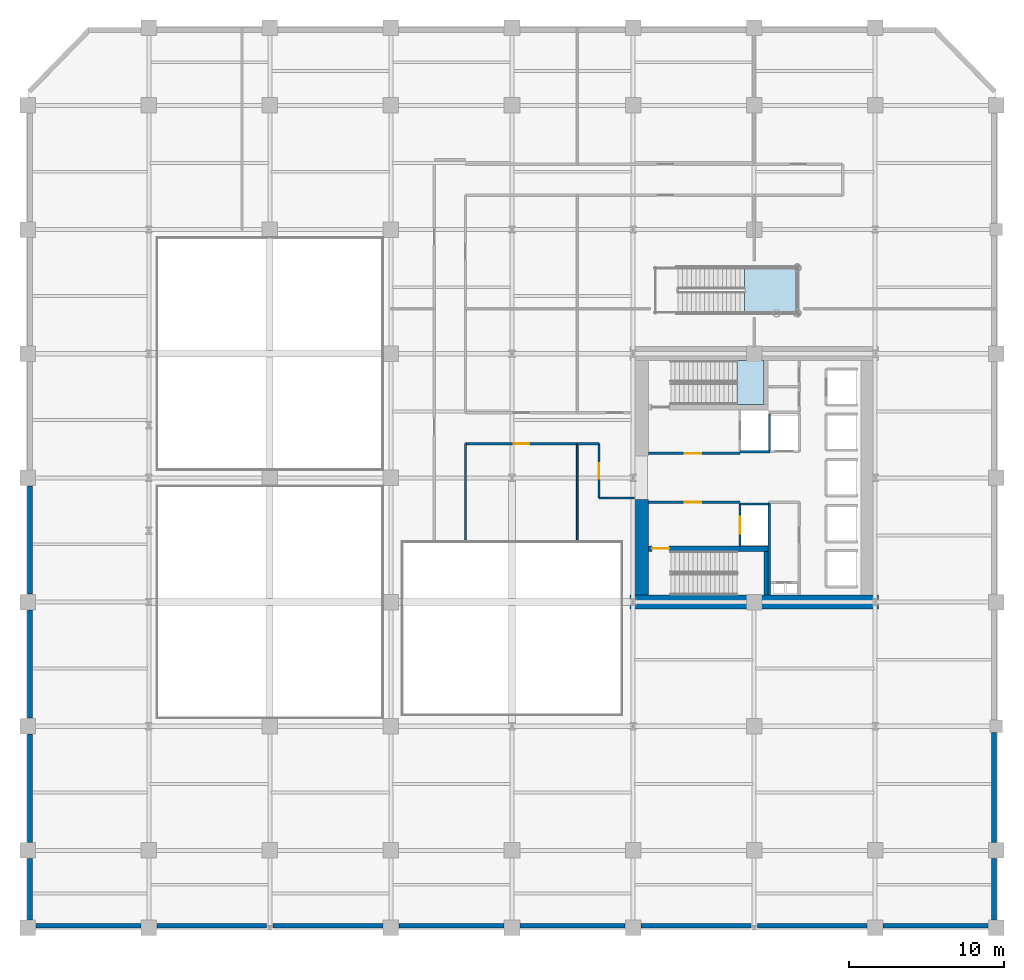
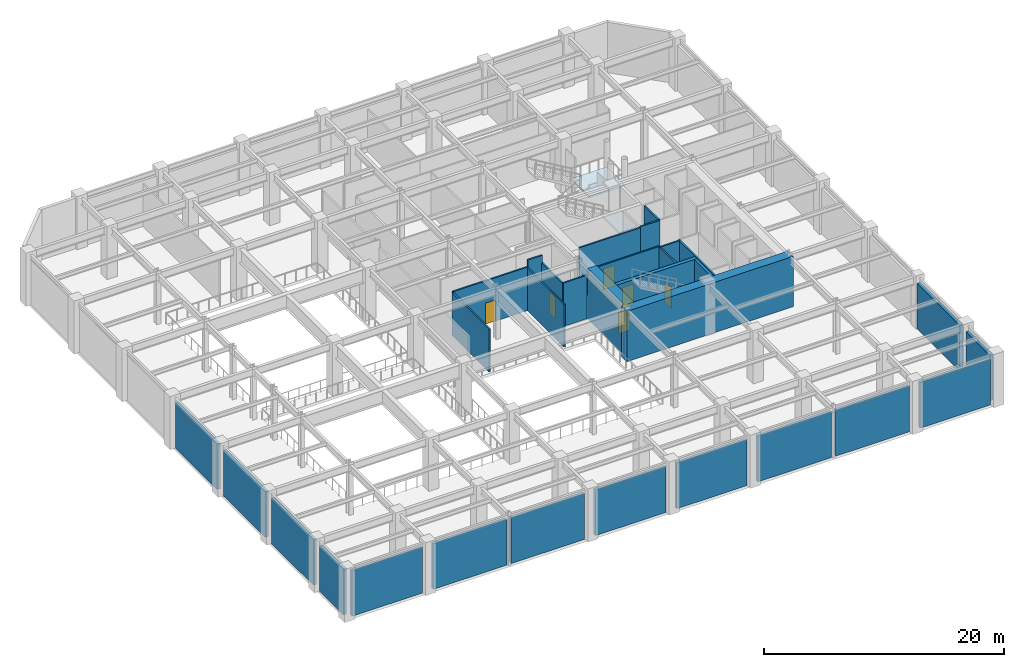
# One storey, part 8 of 15: 31 walls, 6 doors, 2 slabs, 6 openings, 2 elements without a shape of their own.
"""IFC4 building model written with IfcOpenShell, lengths in metres."""

import ifcopenshell
import ifcopenshell.guid

model = None  # the IFC model being written
_history = None  # IfcOwnerHistory: only IFC2X3 demands one
_inside = {}  # id of a spatial element -> (the spatial element, [elements in it])
_under = {}  # id of a project, library or spatial element -> (it, [spatial elements below it])
_declared = {}  # id of a project -> (the project, [libraries it declares])
_typed = {}  # id of a type object -> (the type object, [elements of that type])
_made_of = {}  # id of a material, layer set ... -> (it, [elements and type objects made of it])


def new_model(schema):
    """Start an empty IFC model of exactly this schema.

    Asked for "IFC4X3", IfcOpenShell would pick the latest addendum, in which some entities
    have other attributes; the version numbers below select the first issue.
    IFC2X3 requires an IfcOwnerHistory on every rooted entity: one is made here for all.
    """
    global model, _history
    if schema == "IFC4X3":
        model = ifcopenshell.file(schema_version=(4, 3, 0, 0))
    else:
        model = ifcopenshell.file(schema=schema)
    _inside.clear()
    _under.clear()
    _declared.clear()
    _typed.clear()
    _made_of.clear()
    _history = None
    if model.schema == "IFC2X3":
        org = make("IfcOrganization", Name="unknown")
        user = make(
            "IfcPersonAndOrganization",
            ThePerson=make("IfcPerson", FamilyName="unknown"),
            TheOrganization=org,
        )
        app = make(
            "IfcApplication",
            ApplicationDeveloper=org,
            Version="unknown",
            ApplicationFullName="unknown",
            ApplicationIdentifier="unknown",
        )
        _history = make(
            "IfcOwnerHistory",
            OwningUser=user,
            OwningApplication=app,
            ChangeAction="ADDED",
            CreationDate=0,
        )
    return model


def make(cls, **values):
    """One entity of the class cls with the attributes given. An attribute that is None is left unset."""
    return model.create_entity(
        cls, **{name: value for name, value in values.items() if value is not None}
    )


def rooted(cls, **values):
    """An entity with a GlobalId (a new one), such as an element, a storey or a relation."""
    return make(cls, GlobalId=ifcopenshell.guid.new(), OwnerHistory=_history, **values)


def si_unit(unit_type, name, prefix=None):
    """IfcSIUnit, for example si_unit("LENGTHUNIT", "METRE", prefix="MILLI")."""
    return make("IfcSIUnit", UnitType=unit_type, Prefix=prefix, Name=name)


def assignment(units):
    """IfcUnitAssignment: the units of a project."""
    return None if units is None else make("IfcUnitAssignment", Units=units)


def point(xyz):
    """IfcCartesianPoint."""
    return None if xyz is None else make("IfcCartesianPoint", Coordinates=xyz)


def direction(xyz):
    """IfcDirection."""
    return None if xyz is None else make("IfcDirection", DirectionRatios=xyz)


def frame(location, z_axis=None, x_axis=None):
    """IfcAxis2Placement3D, a coordinate frame: its origin and axes. An axis left out is left unset."""
    return make(
        "IfcAxis2Placement3D",
        Location=point(location),
        Axis=direction(z_axis),
        RefDirection=direction(x_axis),
    )


def frame_2d(location, x_axis=None):
    """IfcAxis2Placement2D, a coordinate frame in the plane: its origin and x axis."""
    return make(
        "IfcAxis2Placement2D", Location=point(location), RefDirection=direction(x_axis)
    )


def origin():
    """The frame at (0, 0, 0) with its axes left unset."""
    return frame((0.0, 0.0, 0.0))


def place(relative_to, where):
    """IfcLocalPlacement: puts the frame where relative to a parent placement (None: the world)."""
    return make(
        "IfcLocalPlacement", PlacementRelTo=relative_to, RelativePlacement=where
    )


def context(
    kind, dimensions, precision=None, world=None, true_north=None, identifier=None
):
    """IfcGeometricRepresentationContext, for example the 3D "Model" context."""
    return make(
        "IfcGeometricRepresentationContext",
        ContextIdentifier=identifier,
        ContextType=kind,
        CoordinateSpaceDimension=dimensions,
        Precision=precision,
        WorldCoordinateSystem=world,
        TrueNorth=true_north,
    )


def subcontext(parent, identifier, kind, view, scale=None):
    """IfcGeometricRepresentationSubContext, for example "Body" below "Model"."""
    return make(
        "IfcGeometricRepresentationSubContext",
        ContextIdentifier=identifier,
        ContextType=kind,
        ParentContext=parent,
        TargetScale=scale,
        TargetView=view,
    )


def project(units=None, contexts=None):
    """IfcProject with its units and contexts."""
    return rooted(
        "IfcProject",
        Name="project",
        RepresentationContexts=contexts,
        UnitsInContext=assignment(units),
    )


def spatial(cls, under=None, at=None, **own):
    """A site, building, storey or space (cls), placed at a placement, below another one or the project."""
    s = rooted(cls, ObjectPlacement=at, **own)
    if under is not None:
        _under.setdefault(under.id(), (under, []))[1].append(s)
    return s


def polyline(points):
    """IfcPolyline through the points."""
    return make("IfcPolyline", Points=[point(p) for p in points])


def profile(cls, at=None, kind="AREA", **sizes):
    """A parametric profile (cls). Its sizes go by their IFC names, for example OverallWidth=200.0."""
    return make(cls, ProfileType=kind, Position=at, **sizes)


def rectangle(**sizes):
    """IfcRectangleProfileDef."""
    return profile("IfcRectangleProfileDef", **sizes)


def outline(outer, holes=None, kind="AREA"):
    """IfcArbitraryClosedProfileDef: a profile drawn as a closed curve; with holes, ...WithVoids."""
    if holes is None:
        return make("IfcArbitraryClosedProfileDef", ProfileType=kind, OuterCurve=outer)
    return make(
        "IfcArbitraryProfileDefWithVoids",
        ProfileType=kind,
        OuterCurve=outer,
        InnerCurves=holes,
    )


def extrude(swept, where, along, depth):
    """IfcExtrudedAreaSolid: the profile swept, set in the frame where, extruded along a direction by depth."""
    return make(
        "IfcExtrudedAreaSolid",
        SweptArea=swept,
        Position=where,
        ExtrudedDirection=direction(along),
        Depth=depth,
    )


def shape(context_of_items, identifier, shape_type, items):
    """IfcShapeRepresentation: the items that make up one representation, for example the "Body"."""
    return make(
        "IfcShapeRepresentation",
        ContextOfItems=context_of_items,
        RepresentationIdentifier=identifier,
        RepresentationType=shape_type,
        Items=items,
    )


def material(Name=None, Category=None):
    """IfcMaterial."""
    return make("IfcMaterial", Name=Name, Category=Category)


def layer(
    of_material, thickness, ventilated=None, Name=None, Category=None, Priority=None
):
    """IfcMaterialLayer: one layer of a wall or slab, of a material (None: an air gap)."""
    return make(
        "IfcMaterialLayer",
        Material=of_material,
        LayerThickness=thickness,
        IsVentilated=ventilated,
        Name=Name,
        Category=Category,
        Priority=Priority,
    )


def layer_set(layers, Name=None):
    """IfcMaterialLayerSet."""
    return make("IfcMaterialLayerSet", MaterialLayers=layers, LayerSetName=Name)


def made_of(thing, what):
    """Note that an element or type object is made of a material, layer set ...; save() writes the relation."""
    if what is not None:
        _made_of.setdefault(what.id(), (what, []))[1].append(thing)
    return thing


def type_object(cls, material=None, **own):
    """A type object (cls), such as IfcWallType, which elements share."""
    return made_of(rooted(cls, **own), material)


def element(
    cls,
    number,
    at=None,
    inside=None,
    cuts=None,
    type_object=None,
    material=None,
    context=None,
    identifier="Body",
    shape_type=None,
    held_by="IfcProductDefinitionShape",
    body=None,
    shapes=None,
    **own,
):
    """One element of the class cls, such as IfcWall. Its Tag is "e" and its number.

    at: its placement. inside: the storey or other place that contains it. cuts: it is an
    opening in that element (IfcRelVoidsElement). A single representation is given by context,
    identifier, shape_type and body (its items); several are given by shapes. held_by: the class
    of the entity that holds the representations. save() writes the other relations.
    """
    e = rooted(cls, Tag="e%d" % number, ObjectPlacement=at, **own)
    if body is not None:
        shapes = [shape(context, identifier, shape_type, body)]
    if shapes is not None:
        e.Representation = make(held_by, Representations=shapes)
    if inside is not None:
        _inside.setdefault(inside.id(), (inside, []))[1].append(e)
    if cuts is not None:
        rooted(
            "IfcRelVoidsElement", RelatingBuildingElement=cuts, RelatedOpeningElement=e
        )
    if type_object is not None:
        _typed.setdefault(type_object.id(), (type_object, []))[1].append(e)
    return made_of(e, material)


def fill(opening, filler):
    """IfcRelFillsElement: the door or window that sits in an opening."""
    return rooted(
        "IfcRelFillsElement",
        RelatingOpeningElement=opening,
        RelatedBuildingElement=filler,
    )


def aggregate(whole, parts):
    """IfcRelAggregates: a whole, such as a stair, and the parts it consists of."""
    return rooted("IfcRelAggregates", RelatingObject=whole, RelatedObjects=parts)


def save(model, path):
    """Write the relations noted so far, then the file.

    IfcRelAggregates (storeys below a building ...), IfcRelContainedInSpatialStructure (elements
    in a storey), IfcRelDefinesByType, IfcRelAssociatesMaterial and IfcRelDeclares: one each for
    every whole, place, type object, material and project.
    """
    for whole, parts in _under.values():
        aggregate(whole, parts)
    for where, things in _inside.values():
        rooted(
            "IfcRelContainedInSpatialStructure",
            RelatedElements=things,
            RelatingStructure=where,
        )
    for kind, things in _typed.values():
        rooted("IfcRelDefinesByType", RelatedObjects=things, RelatingType=kind)
    for what, things in _made_of.values():
        rooted("IfcRelAssociatesMaterial", RelatedObjects=things, RelatingMaterial=what)
    for by, libraries in _declared.values():
        rooted("IfcRelDeclares", RelatingContext=by, RelatedDefinitions=libraries)
    model.write(path)


model = new_model("IFC4")

# Units and contexts
model_context = context("Model", 3, precision=1e-05, world=origin(), true_north=direction((0.0, 1.0)))
body_context = subcontext(model_context, "Body", "Model", "MODEL_VIEW")
ifc_project = project(units=[si_unit("LENGTHUNIT", "METRE"), si_unit("AREAUNIT", "SQUARE_METRE"), si_unit("VOLUMEUNIT", "CUBIC_METRE"), si_unit("PLANEANGLEUNIT", "RADIAN"), si_unit("MASSUNIT", "GRAM", prefix="KILO")], contexts=[model_context])

# Site, building, storey
site_placement = place(None, origin())
site = spatial("IfcSite", under=ifc_project, at=site_placement, CompositionType="ELEMENT")
building_placement = place(site_placement, origin())
building = spatial("IfcBuilding", under=site, at=building_placement, Name="Veymaron Broadcast Tower", CompositionType="ELEMENT")
storey_placement = place(building_placement, frame((0.0, 0.0, 5.39990234375)))
storey = spatial("IfcBuildingStorey", under=building, at=storey_placement, Name="L01", CompositionType="ELEMENT", Elevation=5.39990234375)

# Stair, slab
ifc_material_1 = material(Name="Concrete C50/60", Category="concrete")
stair_type_1 = type_object("IfcStairType", Name="STAIR-CORE-1", PredefinedType="HALF_TURN_STAIR", material=ifc_material_1)
stair_1_placement = place(storey_placement, origin())
stair_1 = element("IfcStair", 1, at=stair_1_placement, inside=storey, type_object=stair_type_1, Name="L01 North protected dog-leg exit stair ST1", PredefinedType="HALF_TURN_STAIR")
ifc_layer_1 = layer(ifc_material_1, 0.199951171875)
ifc_layer_set_1 = layer_set([ifc_layer_1], Name="Concrete C50/60")
slab_type = type_object("IfcSlabType", Name="SLAB-STAIR-LDG", PredefinedType="LANDING", material=ifc_layer_set_1)
slab_1_placement = place(storey_placement, frame((0.0, 0.0, 2.5)))
slab_1 = element("IfcSlab", 2, at=slab_1_placement, type_object=slab_type, Name="ST1 landing 1", PredefinedType="LANDING", context=body_context, shape_type="SweptSolid", body=[
    extrude(outline(polyline([(45.705078125, 28.72998046875), (47.43994140625, 28.72998046875), (47.43994140625, 31.550048828125), (45.705078125, 31.550048828125), (45.705078125, 28.72998046875)])), origin(), (0.0, 0.0, 1.0), 0.2001953125),
])
aggregate(stair_1, [slab_1])

ifc_material_2 = material(Name="Structural steel ASTM A992 Gr 50", Category="steel")
stair_type_2 = type_object("IfcStairType", Name="STAIR-FEAT-01", PredefinedType="HALF_TURN_STAIR", material=ifc_material_2)
stair_2_placement = place(storey_placement, origin())
stair_2 = element("IfcStair", 3, at=stair_2_placement, inside=storey, type_object=stair_type_2, Name="L01 Waterfront concourse monumental feature stair STF1", PredefinedType="HALF_TURN_STAIR")
slab_2_placement = place(storey_placement, frame((0.0, 0.0, 2.5)))
slab_2 = element("IfcSlab", 4, at=slab_2_placement, type_object=slab_type, Name="STF1 landing 1", PredefinedType="LANDING", context=body_context, shape_type="SweptSolid", body=[
    extrude(outline(polyline([(46.175048828125, 34.60009765625), (49.60009765625, 34.60009765625), (49.60009765625, 37.56005859375), (46.175048828125, 37.56005859375), (46.175048828125, 34.60009765625)])), origin(), (0.0, 0.0, 1.0), 0.2001953125),
])
aggregate(stair_2, [slab_2])

# Walls
ifc_material_3 = material(Name="Precast concrete C40/50 with mineral-wool insulation", Category="concrete")
ifc_layer_2 = layer(ifc_material_3, 0.300048828125)
ifc_layer_set_2 = layer_set([ifc_layer_2], Name="Precast concrete C40/50 with mineral-wool insulation")
wall_type_1 = type_object("IfcWallType", Name="WALL-EXT-300", PredefinedType="STANDARD", material=ifc_layer_set_2)
wall_1_placement = place(storey_placement, frame((0.51806640625, -4.860107421875, 0.0), z_axis=(0.0, 0.0, 1.0), x_axis=(1.0, 0.0, 0.0)))
element("IfcWall", 5, at=wall_1_placement, inside=storey, type_object=wall_type_1, Name="L01 notched corner facade pier 1-1", PredefinedType="STANDARD", context=body_context, shape_type="SweptSolid", body=[
    extrude(rectangle(XDim=6.763916015625, YDim=0.300048828125, at=frame_2d((3.3818359375, 0.0))), origin(), (0.0, 0.0, 1.0), 4.648193359375),
])
wall_2_placement = place(storey_placement, frame((8.318115234375, -4.860107421875, 0.0), z_axis=(0.0, 0.0, 1.0), x_axis=(1.0, 0.0, 0.0)))
element("IfcWall", 6, at=wall_2_placement, inside=storey, type_object=wall_type_1, Name="L01 notched corner facade pier 1-2", PredefinedType="STANDARD", context=body_context, shape_type="SweptSolid", body=[
    extrude(rectangle(XDim=7.078857421875, YDim=0.300048828125, at=frame_2d((3.53955078125, 0.0))), origin(), (0.0, 0.0, 1.0), 4.648193359375),
])
wall_3_placement = place(storey_placement, frame((15.802978515625, -4.860107421875, 0.0), z_axis=(0.0, 0.0, 1.0), x_axis=(1.0, 0.0, 0.0)))
element("IfcWall", 7, at=wall_3_placement, inside=storey, type_object=wall_type_1, Name="L01 notched corner facade pier 1-3", PredefinedType="STANDARD", context=body_context, shape_type="SweptSolid", body=[
    extrude(rectangle(XDim=7.0791015625, YDim=0.300048828125, at=frame_2d((3.53955078125, 0.0))), origin(), (0.0, 0.0, 1.0), 4.648193359375),
])
for number, where, z_axis, x_axis, name in (
    (8, (23.91796875, -4.860107421875, 0.0), (0.0, 0.0, 1.0), (1.0, 0.0, 0.0), "L01 notched corner facade pier 1-4"),
    (9, (31.718017578125, -4.860107421875, 0.0), (0.0, 0.0, 1.0), (1.0, 0.0, 0.0), "L01 notched corner facade pier 1-5"),
):
    element("IfcWall", number, at=place(storey_placement, frame(where, z_axis=z_axis, x_axis=x_axis)), inside=storey, type_object=wall_type_1, Name=name, PredefinedType="STANDARD", context=body_context, shape_type="SweptSolid", body=[
        extrude(rectangle(XDim=6.763916015625, YDim=0.300048828125, at=frame_2d((3.3818359375, 0.0))), origin(), (0.0, 0.0, 1.0), 4.648193359375),
    ])
wall_4_placement = place(storey_placement, frame((39.51806640625, -4.860107421875, 0.0), z_axis=(0.0, 0.0, 1.0), x_axis=(1.0, 0.0, 0.0)))
element("IfcWall", 10, at=wall_4_placement, inside=storey, type_object=wall_type_1, Name="L01 notched corner facade pier 1-6", PredefinedType="STANDARD", context=body_context, shape_type="SweptSolid", body=[
    extrude(rectangle(XDim=7.078857421875, YDim=0.300048828125, at=frame_2d((3.53955078125, 0.0))), origin(), (0.0, 0.0, 1.0), 4.648193359375),
])
wall_5_placement = place(storey_placement, frame((47.0029296875, -4.860107421875, 0.0), z_axis=(0.0, 0.0, 1.0), x_axis=(1.0, 0.0, 0.0)))
element("IfcWall", 11, at=wall_5_placement, inside=storey, type_object=wall_type_1, Name="L01 notched corner facade pier 1-7", PredefinedType="STANDARD", context=body_context, shape_type="SweptSolid", body=[
    extrude(rectangle(XDim=7.0791015625, YDim=0.300048828125, at=frame_2d((3.53955078125, 0.0))), origin(), (0.0, 0.0, 1.0), 4.648193359375),
])
wall_6_placement = place(storey_placement, frame((55.117919921875, -4.860107421875, 0.0), z_axis=(0.0, 0.0, 1.0), x_axis=(1.0, 0.0, 0.0)))
element("IfcWall", 12, at=wall_6_placement, inside=storey, type_object=wall_type_1, Name="L01 notched corner facade pier 1-8", PredefinedType="STANDARD", context=body_context, shape_type="SweptSolid", body=[
    extrude(rectangle(XDim=6.76416015625, YDim=0.300048828125, at=frame_2d((3.382080078125, 0.0))), origin(), (0.0, 0.0, 1.0), 4.648193359375),
])
wall_7_placement = place(storey_placement, frame((62.260009765625, -4.48193359375, 0.0), z_axis=(0.0, 0.0, 1.0), x_axis=(0.0, 1.0, 0.0)))
element("IfcWall", 13, at=wall_7_placement, inside=storey, type_object=wall_type_1, Name="L01 notched corner facade pier 2-1", PredefinedType="STANDARD", context=body_context, shape_type="SweptSolid", body=[
    extrude(rectangle(XDim=3.9638671875, YDim=0.300048828125, at=frame_2d((1.98193359375, 0.0))), origin(), (0.0, 0.0, 1.0), 4.648193359375),
])
wall_8_placement = place(storey_placement, frame((62.260009765625, 0.51806640625, 0.0), z_axis=(0.0, 0.0, 1.0), x_axis=(0.0, 1.0, 0.0)))
element("IfcWall", 14, at=wall_8_placement, inside=storey, type_object=wall_type_1, Name="L01 notched corner facade pier 2-2", PredefinedType="STANDARD", context=body_context, shape_type="SweptSolid", body=[
    extrude(rectangle(XDim=7.06396484375, YDim=0.300048828125, at=frame_2d((3.531982421875, 0.0))), origin(), (0.0, 0.0, 1.0), 4.648193359375),
])
for number, where, z_axis, x_axis, name in (
    (15, (0.139892578125, 23.48193359375, 0.0), (0.0, 0.0, 1.0), (0.0, -1.0, 0.0), "L01 notched corner facade pier 6-4"),
    (16, (0.139892578125, 15.48193359375, 0.0), (0.0, 0.0, 1.0), (0.0, -1.0, 0.0), "L01 notched corner facade pier 6-5"),
    (17, (0.139892578125, 7.48193359375, 0.0), (0.0, 0.0, 1.0), (0.0, -1.0, 0.0), "L01 notched corner facade pier 6-6"),
):
    element("IfcWall", number, at=place(storey_placement, frame(where, z_axis=z_axis, x_axis=x_axis)), inside=storey, type_object=wall_type_1, Name=name, PredefinedType="STANDARD", context=body_context, shape_type="SweptSolid", body=[
        extrude(rectangle(XDim=6.9638671875, YDim=0.300048828125, at=frame_2d((3.48193359375, 0.0))), origin(), (0.0, 0.0, 1.0), 4.648193359375),
    ])
wall_9_placement = place(storey_placement, frame((0.139892578125, -0.51806640625, 0.0), z_axis=(0.0, 0.0, 1.0), x_axis=(0.0, -1.0, 0.0)))
element("IfcWall", 18, at=wall_9_placement, inside=storey, type_object=wall_type_1, Name="L01 notched corner facade pier 6-7", PredefinedType="STANDARD", context=body_context, shape_type="SweptSolid", body=[
    extrude(rectangle(XDim=3.9638671875, YDim=0.300048828125, at=frame_2d((1.98193359375, 0.0))), origin(), (0.0, 0.0, 1.0), 4.648193359375),
])

# Wall, opening, door
ifc_material_4 = material(Name="Gypsum fireboard and steel stud framing", Category="steel")
ifc_layer_3 = layer(ifc_material_4, 0.14990234375)
ifc_layer_set_3 = layer_set([ifc_layer_3], Name="Gypsum fireboard and steel stud framing")
wall_type_2 = type_object("IfcWallType", Name="WALL-FIRE-150", PredefinedType="PARTITIONING", material=ifc_layer_set_3)
wall_10_placement = place(storey_placement, frame((39.97998046875, 25.574951171875, 0.0), z_axis=(0.0, 0.0, 1.0), x_axis=(1.0, 0.0, 0.0)))
wall_10 = element("IfcWall", 19, at=wall_10_placement, inside=storey, type_object=wall_type_2, Name="L01 partition IW-L01-FFLN-S", PredefinedType="PARTITIONING", context=body_context, shape_type="SweptSolid", body=[
    extrude(rectangle(XDim=5.89990234375, YDim=0.14990234375, at=frame_2d((2.949951171875, 0.0))), origin(), (0.0, 0.0, 1.0), 5.1201171875),
])
opening_1_placement = place(wall_10_placement, frame((2.35009765625, 0.0, 0.0)))
opening_1 = element("IfcOpeningElement", 20, at=opening_1_placement, cuts=wall_10, Name="Opening ID-FL1", PredefinedType="OPENING", context=body_context, shape_type="SweptSolid", body=[
    extrude(rectangle(XDim=1.050048828125, YDim=2.14990234375, at=frame_2d((0.52490234375, 1.074951171875))), frame((0.0, 0.0849609375, 0.0), z_axis=(0.0, -1.0, 0.0), x_axis=(1.0, 0.0, 0.0)), (0.0, 0.0, 1.0), 0.169921875),
])
ifc_material_5 = material(Name="Fire-rated painted hollow steel ASTM A653", Category="steel")
door_type_1 = type_object("IfcDoorType", Name="DOOR-FIRE-1050", OperationType="NOTDEFINED", PredefinedType="DOOR", material=ifc_material_5)
door_1_placement = place(opening_1_placement, origin())
door_1 = element("IfcDoor", 21, at=door_1_placement, inside=storey, type_object=door_type_1, Name="L01 door DR-L01-FFLN", OperationType="SINGLE_SWING_LEFT", OverallHeight=2.14990234375, OverallWidth=1.050048828125, PredefinedType="DOOR", context=body_context, shape_type="SweptSolid", body=[
    extrude(rectangle(XDim=1.050048828125, YDim=2.14990234375, at=frame_2d((0.52490234375, 1.074951171875))), frame((0.0, 0.02490234375, 0.0), z_axis=(0.0, -1.0, 0.0), x_axis=(1.0, 0.0, 0.0)), (0.0, 0.0, 1.0), 0.050048828125),
])
fill(opening_1, door_1)

wall_11_placement = place(storey_placement, frame((39.97998046875, 22.425048828125, 0.0), z_axis=(0.0, 0.0, 1.0), x_axis=(1.0, 0.0, 0.0)))
wall_11 = element("IfcWall", 22, at=wall_11_placement, inside=storey, type_object=wall_type_2, Name="L01 partition IW-L01-FFLS-N", PredefinedType="PARTITIONING", context=body_context, shape_type="SweptSolid", body=[
    extrude(rectangle(XDim=5.89990234375, YDim=0.14990234375, at=frame_2d((2.949951171875, 0.0))), origin(), (0.0, 0.0, 1.0), 5.1201171875),
])
opening_2_placement = place(wall_11_placement, frame((2.35009765625, 0.0, 0.0)))
opening_2 = element("IfcOpeningElement", 23, at=opening_2_placement, cuts=wall_11, Name="Opening ID-FL1", PredefinedType="OPENING", context=body_context, shape_type="SweptSolid", body=[
    extrude(rectangle(XDim=1.050048828125, YDim=2.14990234375, at=frame_2d((0.52490234375, 1.074951171875))), frame((0.0, 0.0849609375, 0.0), z_axis=(0.0, -1.0, 0.0), x_axis=(1.0, 0.0, 0.0)), (0.0, 0.0, 1.0), 0.169921875),
])
door_2_placement = place(opening_2_placement, frame((1.050048828125, 0.0, 0.0), z_axis=(0.0, 0.0, 1.0), x_axis=(-1.0, 0.0, 0.0)))
door_2 = element("IfcDoor", 24, at=door_2_placement, inside=storey, type_object=door_type_1, Name="L01 door DR-L01-FFLS", OperationType="SINGLE_SWING_RIGHT", OverallHeight=2.14990234375, OverallWidth=1.050048828125, PredefinedType="DOOR", context=body_context, shape_type="SweptSolid", body=[
    extrude(rectangle(XDim=1.050048828125, YDim=2.14990234375, at=frame_2d((0.52490234375, 1.074951171875))), frame((0.0, 0.02490234375, 0.0), z_axis=(0.0, -1.0, 0.0), x_axis=(1.0, 0.0, 0.0)), (0.0, 0.0, 1.0), 0.050048828125),
])
fill(opening_2, door_2)

# Wall
wall_12_placement = place(storey_placement, frame((45.89501953125, 25.68994140625, 0.0), z_axis=(0.0, 0.0, 1.0), x_axis=(1.0, 0.0, 0.0)))
element("IfcWall", 25, at=wall_12_placement, inside=storey, type_object=wall_type_2, Name="L01 partition IW-L01-SHS-FFL-1", PredefinedType="PARTITIONING", context=body_context, shape_type="SweptSolid", body=[
    extrude(rectangle(XDim=1.9150390625, YDim=0.14990234375, at=frame_2d((0.95751953125, 0.0))), origin(), (0.0, 0.0, 1.0), 5.1201171875),
])

# Wall, opening, door
wall_13_placement = place(storey_placement, frame((45.89501953125, 19.590087890625, 0.0), z_axis=(0.0, 0.0, 1.0), x_axis=(0.0, 1.0, 0.0)))
wall_13 = element("IfcWall", 26, at=wall_13_placement, inside=storey, type_object=wall_type_2, Name="L01 partition IW-L01-SHW-FFL-2", PredefinedType="PARTITIONING", context=body_context, shape_type="SweptSolid", body=[
    extrude(rectangle(XDim=2.719970703125, YDim=0.14990234375, at=frame_2d((1.35986328125, 0.0))), origin(), (0.0, 0.0, 1.0), 5.1201171875),
])
opening_3_placement = place(wall_13_placement, frame((0.81005859375, 0.0, 0.0)))
opening_3 = element("IfcOpeningElement", 27, at=opening_3_placement, cuts=wall_13, Name="Opening LD", PredefinedType="OPENING", context=body_context, shape_type="SweptSolid", body=[
    extrude(rectangle(XDim=1.10009765625, YDim=2.14990234375, at=frame_2d((0.550048828125, 1.074951171875))), frame((0.0, 0.0849609375, 0.0), z_axis=(0.0, -1.0, 0.0), x_axis=(1.0, 0.0, 0.0)), (0.0, 0.0, 1.0), 0.169921875),
])
ifc_material_6 = material(Name="Brushed stainless steel AISI 304", Category="steel")
door_type_2 = type_object("IfcDoorType", Name="DOOR-LIFT-1100", OperationType="DOUBLE_DOOR_SLIDING", PredefinedType="DOOR", material=ifc_material_6)
door_3_placement = place(opening_3_placement, frame((1.10009765625, 0.0, 0.0), z_axis=(0.0, 0.0, 1.0), x_axis=(-1.0, 0.0, 0.0)))
door_3 = element("IfcDoor", 28, at=door_3_placement, inside=storey, type_object=door_type_2, Name="L01 door LD-L01-FFL-2", OperationType="DOUBLE_DOOR_SLIDING", OverallHeight=2.14990234375, OverallWidth=1.10009765625, PredefinedType="DOOR", context=body_context, shape_type="SweptSolid", body=[
    extrude(rectangle(XDim=1.10009765625, YDim=2.14990234375, at=frame_2d((0.550048828125, 1.074951171875))), frame((0.0, 0.02490234375, 0.0), z_axis=(0.0, -1.0, 0.0), x_axis=(1.0, 0.0, 0.0)), (0.0, 0.0, 1.0), 0.050048828125),
])
fill(opening_3, door_3)

# Walls
wall_14_placement = place(storey_placement, frame((45.89501953125, 22.31005859375, 0.0), z_axis=(0.0, 0.0, 1.0), x_axis=(1.0, 0.0, 0.0)))
element("IfcWall", 29, at=wall_14_placement, inside=storey, type_object=wall_type_2, Name="L01 partition IW-L01-SHN-FFL-2", PredefinedType="PARTITIONING", context=body_context, shape_type="SweptSolid", body=[
    extrude(rectangle(XDim=1.9150390625, YDim=0.14990234375, at=frame_2d((0.95751953125, 0.0))), origin(), (0.0, 0.0, 1.0), 5.1201171875),
])
wall_15_placement = place(storey_placement, frame((47.7900390625, 25.695068359375, 0.0), z_axis=(0.0, 0.0, 1.0), x_axis=(0.0, 1.0, 0.0)))
element("IfcWall", 30, at=wall_15_placement, inside=storey, type_object=wall_type_2, Name="L01 partition IW-L01-SHW-SL-1", PredefinedType="PARTITIONING", context=body_context, shape_type="SweptSolid", body=[
    extrude(rectangle(XDim=2.4150390625, YDim=0.14990234375, at=frame_2d((1.20751953125, 0.0))), origin(), (0.0, 0.0, 1.0), 5.1201171875),
])
wall_16_placement = place(storey_placement, frame((47.780029296875, 16.449951171875, 0.0), z_axis=(0.0, 0.0, 1.0), x_axis=(0.0, 1.0, 0.0)))
element("IfcWall", 31, at=wall_16_placement, inside=storey, type_object=wall_type_2, Name="L01 partition IW-L01-SM-W", PredefinedType="PARTITIONING", context=body_context, shape_type="SweptSolid", body=[
    extrude(rectangle(XDim=5.97509765625, YDim=0.14990234375, at=frame_2d((2.987548828125, 0.0))), origin(), (0.0, 0.0, 1.0), 5.1201171875),
])

# Wall, opening, door
wall_17_placement = place(storey_placement, frame((36.800048828125, 22.699951171875, 0.0), z_axis=(0.0, 0.0, 1.0), x_axis=(0.0, 1.0, 0.0)))
wall_17 = element("IfcWall", 32, at=wall_17_placement, inside=storey, type_object=wall_type_2, Name="L01 partition IW-L01-P01", PredefinedType="PARTITIONING", context=body_context, shape_type="SweptSolid", body=[
    extrude(rectangle(XDim=3.5, YDim=0.14990234375, at=frame_2d((1.75, 0.0))), origin(), (0.0, 0.0, 1.0), 4.338134765625),
])
opening_4_placement = place(wall_17_placement, frame((1.25, 0.0, 0.0)))
opening_4 = element("IfcOpeningElement", 33, at=opening_4_placement, cuts=wall_17, Name="Opening ID-RM3", PredefinedType="OPENING", context=body_context, shape_type="SweptSolid", body=[
    extrude(rectangle(XDim=1.0, YDim=2.14990234375, at=frame_2d((0.5, 1.074951171875))), frame((0.0, 0.0849609375, 0.0), z_axis=(0.0, -1.0, 0.0), x_axis=(1.0, 0.0, 0.0)), (0.0, 0.0, 1.0), 0.169921875),
])
ifc_material_7 = material(Name="Acoustic solid-core European oak veneer timber", Category="wood")
door_type_3 = type_object("IfcDoorType", Name="DOOR-INT-1000", OperationType="NOTDEFINED", PredefinedType="DOOR", material=ifc_material_7)
door_4_placement = place(opening_4_placement, origin())
door_4 = element("IfcDoor", 34, at=door_4_placement, inside=storey, type_object=door_type_3, Name="L01 door DR-L01-P01", OperationType="SINGLE_SWING_RIGHT", OverallHeight=2.14990234375, OverallWidth=1.0, PredefinedType="DOOR", context=body_context, shape_type="SweptSolid", body=[
    extrude(rectangle(XDim=1.0, YDim=2.14990234375, at=frame_2d((0.5, 1.074951171875))), frame((0.0, 0.02490234375, 0.0), z_axis=(0.0, -1.0, 0.0), x_axis=(1.0, 0.0, 0.0)), (0.0, 0.0, 1.0), 0.050048828125),
])
fill(opening_4, door_4)

wall_18_placement = place(storey_placement, frame((28.199951171875, 26.199951171875, 0.0), z_axis=(0.0, 0.0, 1.0), x_axis=(1.0, 0.0, 0.0)))
wall_18 = element("IfcWall", 35, at=wall_18_placement, inside=storey, type_object=wall_type_2, Name="L01 partition IW-L01-P04", PredefinedType="PARTITIONING", context=body_context, shape_type="SweptSolid", body=[
    extrude(rectangle(XDim=7.199951171875, YDim=0.14990234375, at=frame_2d((3.60009765625, 0.0))), origin(), (0.0, 0.0, 1.0), 4.4150390625),
])
opening_5_placement = place(wall_18_placement, frame((3.10009765625, 0.0, 0.0)))
opening_5 = element("IfcOpeningElement", 36, at=opening_5_placement, cuts=wall_18, Name="Opening ID-RM3", PredefinedType="OPENING", context=body_context, shape_type="SweptSolid", body=[
    extrude(rectangle(XDim=1.0, YDim=2.14990234375, at=frame_2d((0.5, 1.074951171875))), frame((0.0, 0.0849609375, 0.0), z_axis=(0.0, -1.0, 0.0), x_axis=(1.0, 0.0, 0.0)), (0.0, 0.0, 1.0), 0.169921875),
])
door_5_placement = place(opening_5_placement, frame((1.0, 0.0, 0.0), z_axis=(0.0, 0.0, 1.0), x_axis=(-1.0, 0.0, 0.0)))
door_5 = element("IfcDoor", 37, at=door_5_placement, inside=storey, type_object=door_type_3, Name="L01 door DR-L01-P04", OperationType="SINGLE_SWING_LEFT", OverallHeight=2.14990234375, OverallWidth=1.0, PredefinedType="DOOR", context=body_context, shape_type="SweptSolid", body=[
    extrude(rectangle(XDim=1.0, YDim=2.14990234375, at=frame_2d((0.5, 1.074951171875))), frame((0.0, 0.02490234375, 0.0), z_axis=(0.0, -1.0, 0.0), x_axis=(1.0, 0.0, 0.0)), (0.0, 0.0, 1.0), 0.050048828125),
])
fill(opening_5, door_5)

# Walls
wall_19_placement = place(storey_placement, frame((36.800048828125, 22.699951171875, 0.0), z_axis=(0.0, 0.0, 1.0), x_axis=(1.0, 0.0, 0.0)))
element("IfcWall", 38, at=wall_19_placement, inside=storey, type_object=wall_type_2, Name="L01 partition IW-L01-P02", PredefinedType="PARTITIONING", context=body_context, shape_type="SweptSolid", body=[
    extrude(rectangle(XDim=2.280029296875, YDim=0.14990234375, at=frame_2d((1.14013671875, 0.0))), origin(), (0.0, 0.0, 1.0), 4.4150390625),
])
wall_20_placement = place(storey_placement, frame((35.39990234375, 26.199951171875, 0.0), z_axis=(0.0, 0.0, 1.0), x_axis=(1.0, 0.0, 0.0)))
element("IfcWall", 39, at=wall_20_placement, inside=storey, type_object=wall_type_2, Name="L01 partition IW-L01-P03", PredefinedType="PARTITIONING", context=body_context, shape_type="SweptSolid", body=[
    extrude(rectangle(XDim=1.400146484375, YDim=0.14990234375, at=frame_2d((0.7001953125, 0.0))), origin(), (0.0, 0.0, 1.0), 5.1201171875),
])
wall_21_placement = place(storey_placement, frame((28.199951171875, 20.0, 0.0), z_axis=(0.0, 0.0, 1.0), x_axis=(0.0, 1.0, 0.0)))
element("IfcWall", 40, at=wall_21_placement, inside=storey, type_object=wall_type_2, Name="L01 partition IW-L01-P05", PredefinedType="PARTITIONING", context=body_context, shape_type="SweptSolid", body=[
    extrude(rectangle(XDim=6.199951171875, YDim=0.14990234375, at=frame_2d((3.10009765625, 0.0))), origin(), (0.0, 0.0, 1.0), 4.338134765625),
])
ifc_material_8 = material(Name="Acoustic gypsum board and galvanized stud", Category="gypsum")
ifc_layer_4 = layer(ifc_material_8, 0.1201171875)
ifc_layer_set_4 = layer_set([ifc_layer_4], Name="Acoustic gypsum board and galvanized stud")
wall_type_3 = type_object("IfcWallType", Name="WALL-PART-120", PredefinedType="PARTITIONING", material=ifc_layer_set_4)
wall_22_placement = place(storey_placement, frame((35.39990234375, 20.0, 0.0), z_axis=(0.0, 0.0, 1.0), x_axis=(0.0, 1.0, 0.0)))
element("IfcWall", 41, at=wall_22_placement, inside=storey, type_object=wall_type_3, Name="L01 partition IW-L01-P20", PredefinedType="PARTITIONING", context=body_context, shape_type="SweptSolid", body=[
    extrude(rectangle(XDim=6.199951171875, YDim=0.1201171875, at=frame_2d((3.10009765625, 0.0))), origin(), (0.0, 0.0, 1.0), 4.338134765625),
])
ifc_layer_5 = layer(ifc_material_1, 0.25)
ifc_layer_set_5 = layer_set([ifc_layer_5], Name="Concrete C50/60")
wall_type_4 = type_object("IfcWallType", Name="WALL-SHEAR-250", PredefinedType="SHEAR", material=ifc_layer_set_5)
wall_23_placement = place(storey_placement, frame((47.56494140625, 16.449951171875, 0.0), z_axis=(0.0, 0.0, 1.0), x_axis=(0.0, 1.0, 0.0)))
element("IfcWall", 42, at=wall_23_placement, inside=storey, type_object=wall_type_4, Name="L01 Core Wall south stair east shear", PredefinedType="SHEAR", context=body_context, shape_type="SweptSolid", body=[
    extrude(rectangle(XDim=2.820068359375, YDim=0.25, at=frame_2d((1.41015625, 0.0))), origin(), (0.0, 0.0, 1.0), 5.1201171875),
])

# Wall, opening, door
ifc_layer_6 = layer(ifc_material_1, 0.35009765625)
ifc_layer_set_6 = layer_set([ifc_layer_6], Name="Concrete C50/60")
wall_type_5 = type_object("IfcWallType", Name="WALL-SHEAR-350", PredefinedType="SHEAR", material=ifc_layer_set_6)
wall_24_placement = place(storey_placement, frame((39.97998046875, 19.445068359375, 0.0), z_axis=(0.0, 0.0, 1.0), x_axis=(1.0, 0.0, 0.0)))
wall_24 = element("IfcWall", 43, at=wall_24_placement, inside=storey, type_object=wall_type_5, Name="L01 Core Wall south stair spine", PredefinedType="SHEAR", context=body_context, shape_type="SweptSolid", body=[
    extrude(rectangle(XDim=7.7099609375, YDim=0.35009765625, at=frame_2d((3.85498046875, 0.0))), origin(), (0.0, 0.0, 1.0), 5.1201171875),
])
opening_6_placement = place(wall_24_placement, frame((0.25, 0.0, 0.0)))
opening_6 = element("IfcOpeningElement", 44, at=opening_6_placement, cuts=wall_24, Name="Opening ID-ST1", PredefinedType="OPENING", context=body_context, shape_type="SweptSolid", body=[
    extrude(rectangle(XDim=1.10009765625, YDim=2.14990234375, at=frame_2d((0.550048828125, 1.074951171875))), frame((0.0, 0.18505859375, 0.0), z_axis=(0.0, -1.0, 0.0), x_axis=(1.0, 0.0, 0.0)), (0.0, 0.0, 1.0), 0.3701171875),
])
door_type_4 = type_object("IfcDoorType", Name="DOOR-STAIR-1100", OperationType="NOTDEFINED", PredefinedType="DOOR", material=ifc_material_5)
door_6_placement = place(opening_6_placement, frame((1.10009765625, 0.0, 0.0), z_axis=(0.0, 0.0, 1.0), x_axis=(-1.0, 0.0, 0.0)))
door_6 = element("IfcDoor", 45, at=door_6_placement, inside=storey, type_object=door_type_4, Name="L01 exit stair ST2 fire door", OperationType="SINGLE_SWING_LEFT", OverallHeight=2.14990234375, OverallWidth=1.10009765625, PredefinedType="DOOR", context=body_context, shape_type="SweptSolid", body=[
    extrude(rectangle(XDim=1.10009765625, YDim=2.14990234375, at=frame_2d((0.550048828125, 1.074951171875))), frame((0.0, 0.02490234375, 0.0), z_axis=(0.0, -1.0, 0.0), x_axis=(1.0, 0.0, 0.0)), (0.0, 0.0, 1.0), 0.050048828125),
])
fill(opening_6, door_6)

# Walls
ifc_material_9 = material(Name="Concrete C70/85", Category="concrete")
ifc_layer_7 = layer(ifc_material_9, 0.89990234375)
ifc_layer_set_7 = layer_set([ifc_layer_7], Name="Concrete C70/85")
wall_type_6 = type_object("IfcWallType", Name="WALL-SHEAR-900", PredefinedType="SHEAR", material=ifc_layer_set_7)
wall_25_placement = place(storey_placement, frame((38.800048828125, 16.0, 0.0), z_axis=(0.0, 0.0, 1.0), x_axis=(1.0, 0.0, 0.0)))
element("IfcWall", 46, at=wall_25_placement, inside=storey, type_object=wall_type_6, Name="L01 Core Wall south shear", PredefinedType="SHEAR", context=body_context, shape_type="SweptSolid", body=[
    extrude(rectangle(XDim=16.0, YDim=0.89990234375, at=frame_2d((8.0, 0.0))), origin(), (0.0, 0.0, 1.0), 5.1201171875),
])
wall_26_placement = place(storey_placement, frame((39.530029296875, 16.449951171875, 0.0), z_axis=(0.0, 0.0, 1.0), x_axis=(0.0, 1.0, 0.0)))
element("IfcWall", 47, at=wall_26_placement, inside=storey, type_object=wall_type_6, Name="L01 Core Wall west-south shear", PredefinedType="SHEAR", context=body_context, shape_type="SweptSolid", body=[
    extrude(rectangle(XDim=6.150146484375, YDim=0.89990234375, at=frame_2d((3.0751953125, 0.0))), origin(), (0.0, 0.0, 1.0), 5.1201171875),
])

save(model, "model.ifc")
